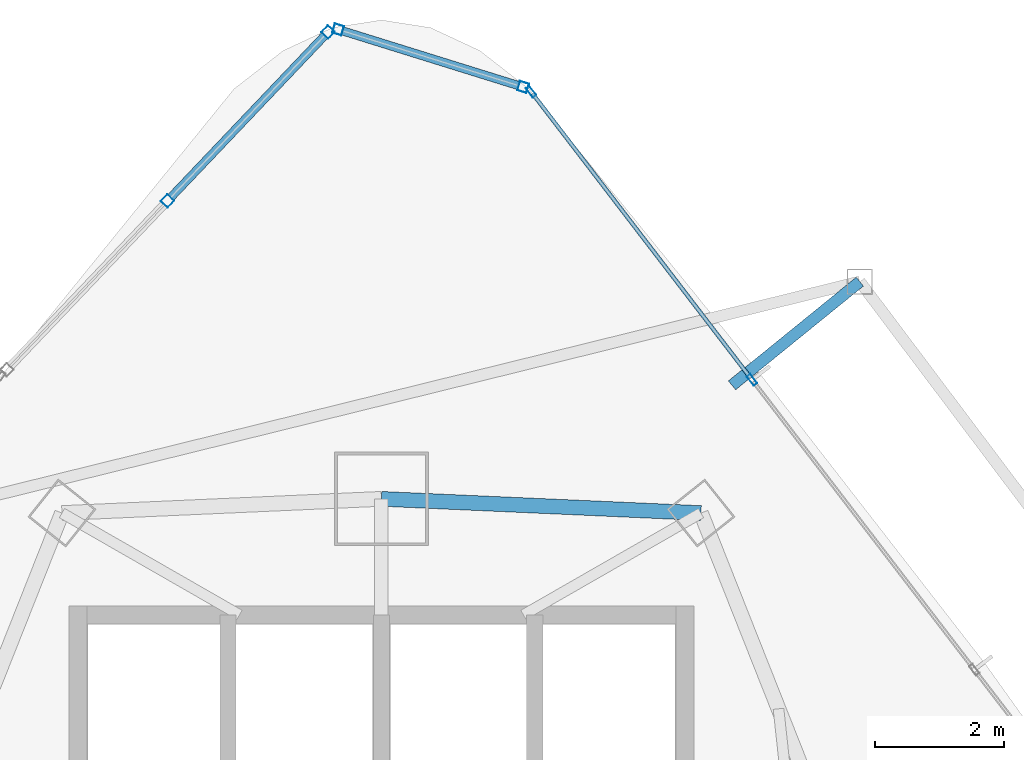
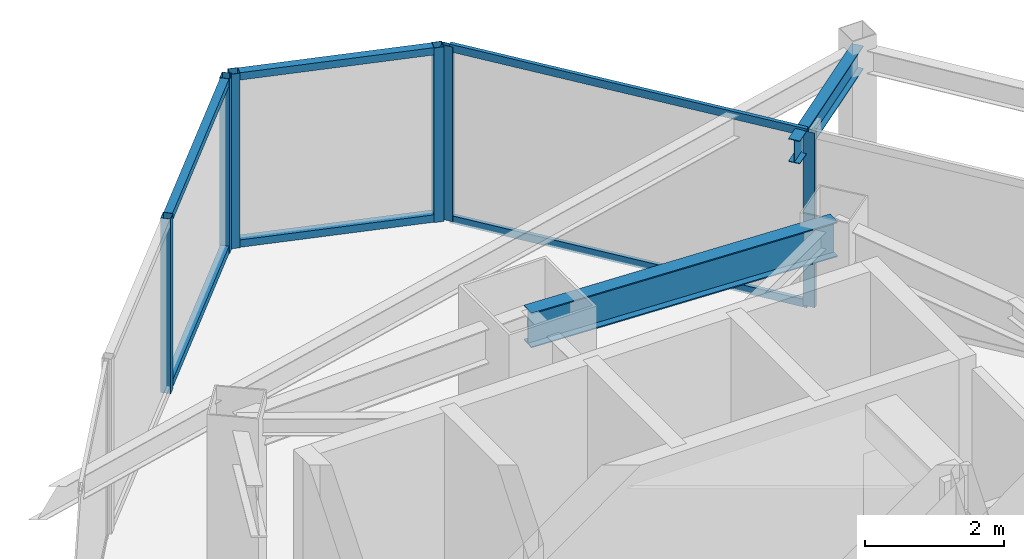
# One storey, part 22 of 30: 12 members, 2 beams, 3 elements without a shape of their own.
"""IFC4 building model written with IfcOpenShell, lengths in metres."""

from ifc_helpers import new_model, si_unit, direction, frame, origin, origin_2d, place, context, subcontext, project, spatial, hollow_rectangle, i_section, extrude, material, layer, layer_set, material_profile, profile_set, type_object, element, aggregate, save


model = new_model("IFC4")

# Units and contexts
model_context = context("Model", 3, precision=1e-05, world=origin(), true_north=direction((0.0, 1.0)))
body_context = subcontext(model_context, "Body", "Model", "MODEL_VIEW")
ifc_project = project(units=[si_unit("LENGTHUNIT", "METRE"), si_unit("AREAUNIT", "SQUARE_METRE"), si_unit("VOLUMEUNIT", "CUBIC_METRE"), si_unit("PLANEANGLEUNIT", "RADIAN"), si_unit("MASSUNIT", "GRAM", prefix="KILO")], contexts=[model_context])

# Site, building, storey
site_placement = place(None, origin())
site = spatial("IfcSite", under=ifc_project, at=site_placement, CompositionType="ELEMENT")
building_placement = place(site_placement, origin())
building = spatial("IfcBuilding", under=site, at=building_placement, Name="Orvanel Arch Residences", CompositionType="ELEMENT")
storey_placement = place(building_placement, frame((0.0, 0.0, 136.39990234375)))
storey = spatial("IfcBuildingStorey", under=building, at=storey_placement, Name="L38", CompositionType="ELEMENT", Elevation=136.39990234375)

# Curtain wall, members
ifc_material_1 = material(Name="Bronze-anodised aluminium AA6063-T6", Category="aluminium")
ifc_layer_1 = layer(ifc_material_1, 0.18994140625)
ifc_layer_set_1 = layer_set([ifc_layer_1], Name="Bronze-anodised aluminium AA6063-T6")
curtain_wall_type_1 = type_object("IfcCurtainWallType", Name="CW5-CRN-SYS", PredefinedType="NOTDEFINED", material=ifc_layer_set_1)
curtain_wall_1_placement = place(storey_placement, origin())
curtain_wall_1 = element("IfcCurtainWall", 1, at=curtain_wall_1_placement, inside=storey, type_object=curtain_wall_type_1, Name="L38 CW5-CRN-SYS Unitised Curtain Wall", PredefinedType="NOTDEFINED")
ifc_material_profile_1 = material_profile(ifc_material_1, hollow_rectangle(XDim=0.14990234375, YDim=0.14990234375, WallThickness=0.0048828125, at=origin_2d()), Name="ALU150x150x5")
ifc_profile_set_1 = profile_set([ifc_material_profile_1], Name="Bronze-anodised aluminium AA6063-T6")
member_type_1 = type_object("IfcMemberType", Name="MUL-150x150", PredefinedType="MULLION", material=ifc_profile_set_1)
member_1_placement = place(storey_placement, frame((35.1943359375, 47.7783203125, 0.0), z_axis=(0.0, 0.0, 1.0), x_axis=(-0.297027974658, -0.954868777514, 0.0)))
member_1 = element("IfcMember", 2, at=member_1_placement, type_object=member_type_1, Name="CW-S5 mullion 1", PredefinedType="MULLION", context=body_context, shape_type="SweptSolid", body=[
    extrude(hollow_rectangle(XDim=0.14990234375, YDim=0.14990234375, WallThickness=0.0048828125, at=origin_2d()), origin(), (0.0, 0.0, 1.0), 3.06005859375),
])
member_2_placement = place(storey_placement, frame((32.32861328125, 48.669677734375, 0.0), z_axis=(0.0, 0.0, 1.0), x_axis=(-0.297027974658, -0.954868777514, 0.0)))
member_2 = element("IfcMember", 3, at=member_2_placement, type_object=member_type_1, Name="CW-S5 mullion 2", PredefinedType="MULLION", context=body_context, shape_type="SweptSolid", body=[
    extrude(hollow_rectangle(XDim=0.14990234375, YDim=0.14990234375, WallThickness=0.0048828125, at=origin_2d()), origin(), (0.0, 0.0, 1.0), 3.06005859375),
])

curtain_wall_2_placement = place(storey_placement, origin())
curtain_wall_2 = element("IfcCurtainWall", 4, at=curtain_wall_2_placement, inside=storey, type_object=curtain_wall_type_1, Name="L38 CW5-CRN-SYS Unitised Curtain Wall", PredefinedType="NOTDEFINED")
member_3_placement = place(storey_placement, frame((32.17236328125, 48.629638671875, 0.0), z_axis=(0.0, 0.0, 1.0), x_axis=(0.724586146342, -0.689184239902, 0.0)))
member_3 = element("IfcMember", 5, at=member_3_placement, type_object=member_type_1, Name="CW-S5 mullion 1", PredefinedType="MULLION", context=body_context, shape_type="SweptSolid", body=[
    extrude(hollow_rectangle(XDim=0.14990234375, YDim=0.14990234375, WallThickness=0.0048828125, at=origin_2d()), origin(), (0.0, 0.0, 1.0), 3.06005859375),
])
member_4_placement = place(storey_placement, frame((29.68359375, 46.012939453125, 0.0), z_axis=(0.0, 0.0, 1.0), x_axis=(0.724586146342, -0.689184239902, 0.0)))
member_4 = element("IfcMember", 6, at=member_4_placement, type_object=member_type_1, Name="CW-S5 mullion 2", PredefinedType="MULLION", context=body_context, shape_type="SweptSolid", body=[
    extrude(hollow_rectangle(XDim=0.14990234375, YDim=0.14990234375, WallThickness=0.0048828125, at=origin_2d()), origin(), (0.0, 0.0, 1.0), 3.06005859375),
])

ifc_layer_2 = layer(ifc_material_1, 0.179931640625)
ifc_layer_set_2 = layer_set([ifc_layer_2], Name="Bronze-anodised aluminium AA6063-T6")
curtain_wall_type_2 = type_object("IfcCurtainWallType", Name="CW3-MID-SYS", PredefinedType="NOTDEFINED", material=ifc_layer_set_2)
curtain_wall_3_placement = place(storey_placement, origin())
curtain_wall_3 = element("IfcCurtainWall", 7, at=curtain_wall_3_placement, inside=storey, type_object=curtain_wall_type_2, Name="L38 CW3-MID-SYS Unitised Curtain Wall", PredefinedType="NOTDEFINED")
ifc_material_profile_2 = material_profile(ifc_material_1, hollow_rectangle(XDim=0.070068359375, YDim=0.179931640625, WallThickness=0.00439453125, at=origin_2d()), Name="ALU180x70x4.5")
ifc_profile_set_2 = profile_set([ifc_material_profile_2], Name="Bronze-anodised aluminium AA6063-T6")
member_type_2 = type_object("IfcMemberType", Name="MUL-180x70", PredefinedType="MULLION", material=ifc_profile_set_2)
member_5_placement = place(storey_placement, frame((38.741455078125, 43.242431640625, 0.0), z_axis=(0.0, 0.0, 1.0), x_axis=(-0.793544747169, -0.608511901478, 0.0)))
member_5 = element("IfcMember", 8, at=member_5_placement, type_object=member_type_2, Name="CW-S3 mullion 3", PredefinedType="MULLION", context=body_context, shape_type="SweptSolid", body=[
    extrude(hollow_rectangle(XDim=0.070068359375, YDim=0.179931640625, WallThickness=0.00439453125, at=origin_2d()), origin(), (0.0, 0.0, 1.0), 3.06005859375),
])
member_6_placement = place(storey_placement, frame((35.318359375, 47.706298828125, 0.0), z_axis=(0.0, 0.0, 1.0), x_axis=(-0.793544747169, -0.608511901478, 0.0)))
member_6 = element("IfcMember", 9, at=member_6_placement, type_object=member_type_2, Name="CW-S3 mullion 4", PredefinedType="MULLION", context=body_context, shape_type="SweptSolid", body=[
    extrude(hollow_rectangle(XDim=0.070068359375, YDim=0.179931640625, WallThickness=0.00439453125, at=origin_2d()), origin(), (0.0, 0.0, 1.0), 3.06005859375),
])

# Beams
ifc_material_2 = material(Name="Structural steel AS/NZS 3679.1 Grade 300 (300 MPa)", Category="steel")
ifc_material_profile_3 = material_profile(ifc_material_2, i_section(OverallWidth=0.177978515625, OverallDepth=0.406005859375, WebThickness=0.0078125, FlangeThickness=0.0126953125, at=origin_2d()), Name="410UB59.7")
ifc_profile_set_3 = profile_set([ifc_material_profile_3], Name="Structural steel AS/NZS 3679.1 Grade 300 (300 MPa)")
beam_type_1 = type_object("IfcBeamType", Name="OB-410UB-EXT", PredefinedType="SPANDREL", material=ifc_profile_set_3)
beam_1_placement = place(storey_placement, frame((38.430908203125, 43.156982421875, 2.857177734375), z_axis=(0.776646847124, 0.629936246657, 0.0), x_axis=(-0.629936246657, 0.776646847124, 0.0)))
element("IfcBeam", 10, at=beam_1_placement, inside=storey, type_object=beam_type_1, Name="L38 Outer Frame Radial Tie Beam 12", PredefinedType="SPANDREL", context=body_context, shape_type="SweptSolid", body=[
    extrude(i_section(OverallWidth=0.177978515625, OverallDepth=0.406005859375, WebThickness=0.0078125, FlangeThickness=0.0126953125, at=origin_2d()), origin(), (0.0, 0.0, 1.0), 2.54931640625),
])
ifc_material_profile_4 = material_profile(ifc_material_2, i_section(OverallWidth=0.22900390625, OverallDepth=0.612060546875, WebThickness=0.011962890625, FlangeThickness=0.01953125, at=origin_2d()), Name="610UB125")
ifc_profile_set_4 = profile_set([ifc_material_profile_4], Name="Structural steel AS/NZS 3679.1 Grade 300 (300 MPa)")
beam_type_2 = type_object("IfcBeamType", Name="SP-610UB", PredefinedType="SPANDREL", material=ifc_profile_set_4)
beam_2_placement = place(storey_placement, frame((37.949951171875, 41.177978515625, 2.754150390625), z_axis=(-0.999014049296, 0.044395149614, 0.0), x_axis=(-0.044395149614, -0.999014049296, 0.0)))
element("IfcBeam", 11, at=beam_2_placement, inside=storey, type_object=beam_type_2, Name="L38 Perimeter Spandrel Beam 14", PredefinedType="SPANDREL", context=body_context, shape_type="SweptSolid", body=[
    extrude(i_section(OverallWidth=0.22900390625, OverallDepth=0.612060546875, WebThickness=0.011962890625, FlangeThickness=0.01953125, at=origin_2d()), origin(), (0.0, 0.0, 1.0), 4.954833984375),
])

# Member
ifc_material_profile_5 = material_profile(ifc_material_1, hollow_rectangle(XDim=0.1298828125, YDim=0.1298828125, WallThickness=0.00439453125, at=origin_2d()), Name="ALU130x130x4.5")
ifc_profile_set_5 = profile_set([ifc_material_profile_5], Name="Bronze-anodised aluminium AA6063-T6")
member_type_3 = type_object("IfcMemberType", Name="TRN-130x130", PredefinedType="USERDEFINED", material=ifc_profile_set_5)
member_7_placement = place(storey_placement, frame((35.122802734375, 47.800537109375, 0.065185546875), z_axis=(-0.954869189117, 0.297026651457, 0.0), x_axis=(-0.297026651457, -0.954869189117, 0.0)))
member_7 = element("IfcMember", 12, at=member_7_placement, type_object=member_type_3, Name="CW-S5 transom 1.1", ObjectType="TRANSOM", PredefinedType="USERDEFINED", context=body_context, shape_type="SweptSolid", body=[
    extrude(hollow_rectangle(XDim=0.1298828125, YDim=0.1298828125, WallThickness=0.00439453125, at=origin_2d()), origin(), (0.0, 0.0, 1.0), 2.851318359375),
])

member_8_placement = place(storey_placement, frame((35.122802734375, 47.800537109375, 2.9951171875), z_axis=(-0.954869189117, 0.297026651457, 0.0), x_axis=(-0.297026651457, -0.954869189117, 0.0)))
member_8 = element("IfcMember", 13, at=member_8_placement, type_object=member_type_3, Name="CW-S5 transom 1.2", ObjectType="TRANSOM", PredefinedType="USERDEFINED", context=body_context, shape_type="SweptSolid", body=[
    extrude(hollow_rectangle(XDim=0.1298828125, YDim=0.1298828125, WallThickness=0.00439453125, at=origin_2d()), origin(), (0.0, 0.0, 1.0), 2.851318359375),
])

aggregate(curtain_wall_1, [member_1, member_2, member_7, member_8])

member_9_placement = place(storey_placement, frame((32.12060546875, 48.5751953125, 0.065185546875), z_axis=(-0.689216475563, -0.724555484289, 0.0), x_axis=(0.724555484289, -0.689216475563, 0.0)))
member_9 = element("IfcMember", 14, at=member_9_placement, type_object=member_type_3, Name="CW-S5 transom 1.1", ObjectType="TRANSOM", PredefinedType="USERDEFINED", context=body_context, shape_type="SweptSolid", body=[
    extrude(hollow_rectangle(XDim=0.1298828125, YDim=0.1298828125, WallThickness=0.00439453125, at=origin_2d()), origin(), (0.0, 0.0, 1.0), 3.461181640625),
])

member_10_placement = place(storey_placement, frame((32.12060546875, 48.5751953125, 2.9951171875), z_axis=(-0.689216475563, -0.724555484289, 0.0), x_axis=(0.724555484289, -0.689216475563, 0.0)))
member_10 = element("IfcMember", 15, at=member_10_placement, type_object=member_type_3, Name="CW-S5 transom 1.2", ObjectType="TRANSOM", PredefinedType="USERDEFINED", context=body_context, shape_type="SweptSolid", body=[
    extrude(hollow_rectangle(XDim=0.1298828125, YDim=0.1298828125, WallThickness=0.00439453125, at=origin_2d()), origin(), (0.0, 0.0, 1.0), 3.461181640625),
])

aggregate(curtain_wall_2, [member_3, member_4, member_9, member_10])

ifc_material_profile_6 = material_profile(ifc_material_1, hollow_rectangle(XDim=0.06005859375, YDim=0.135009765625, WallThickness=0.00390625, at=origin_2d()), Name="ALU135x60x4")
ifc_profile_set_6 = profile_set([ifc_material_profile_6], Name="Bronze-anodised aluminium AA6063-T6")
member_type_4 = type_object("IfcMemberType", Name="TRN-135x60", PredefinedType="USERDEFINED", material=ifc_profile_set_6)
member_11_placement = place(storey_placement, frame((38.719970703125, 43.27001953125, 0.030029296875), z_axis=(-0.608495202332, 0.793557552254, 0.0), x_axis=(-0.793557552254, -0.608495202332, 0.0)))
member_11 = element("IfcMember", 16, at=member_11_placement, type_object=member_type_4, Name="CW-S3 transom 3.1", ObjectType="TRANSOM", PredefinedType="USERDEFINED", context=body_context, shape_type="SweptSolid", body=[
    extrude(hollow_rectangle(XDim=0.06005859375, YDim=0.135009765625, WallThickness=0.00390625, at=origin_2d()), origin(), (0.0, 0.0, 1.0), 5.55517578125),
])

member_12_placement = place(storey_placement, frame((38.719970703125, 43.27001953125, 3.030029296875), z_axis=(-0.608495202332, 0.793557552254, 0.0), x_axis=(-0.793557552254, -0.608495202332, 0.0)))
member_12 = element("IfcMember", 17, at=member_12_placement, type_object=member_type_4, Name="CW-S3 transom 3.2", ObjectType="TRANSOM", PredefinedType="USERDEFINED", context=body_context, shape_type="SweptSolid", body=[
    extrude(hollow_rectangle(XDim=0.06005859375, YDim=0.135009765625, WallThickness=0.00390625, at=origin_2d()), origin(), (0.0, 0.0, 1.0), 5.55517578125),
])

aggregate(curtain_wall_3, [member_5, member_6, member_11, member_12])

save(model, "model.ifc")
